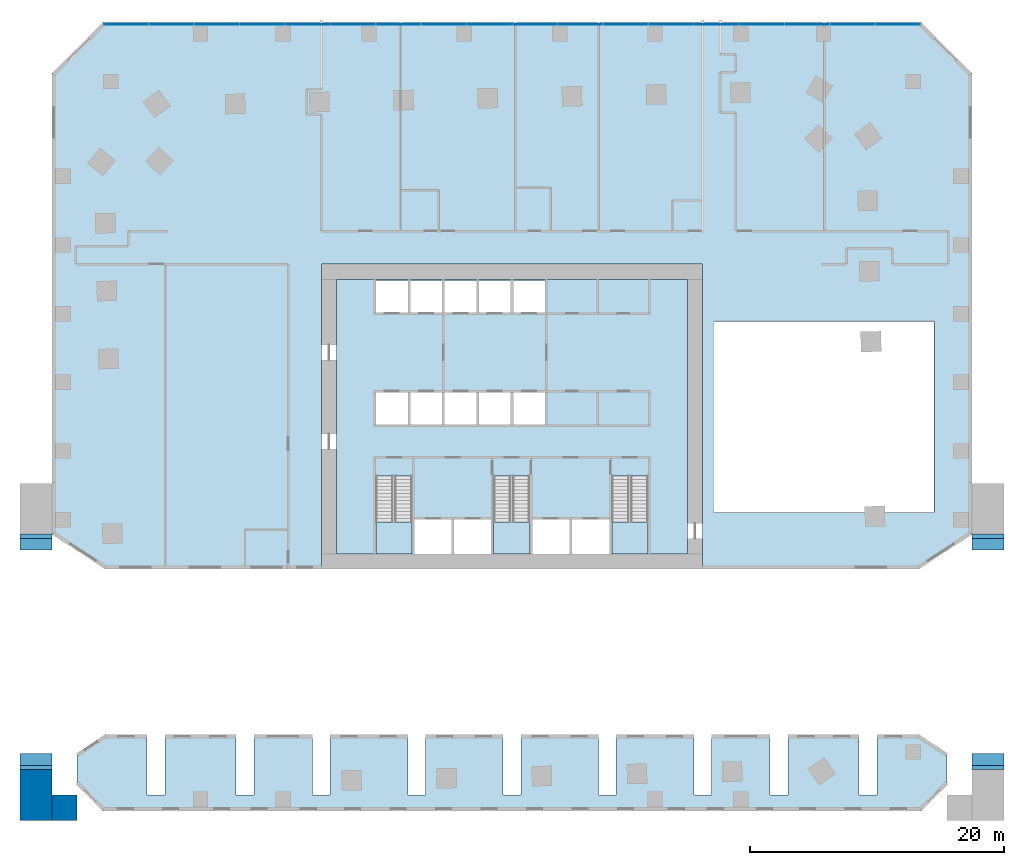
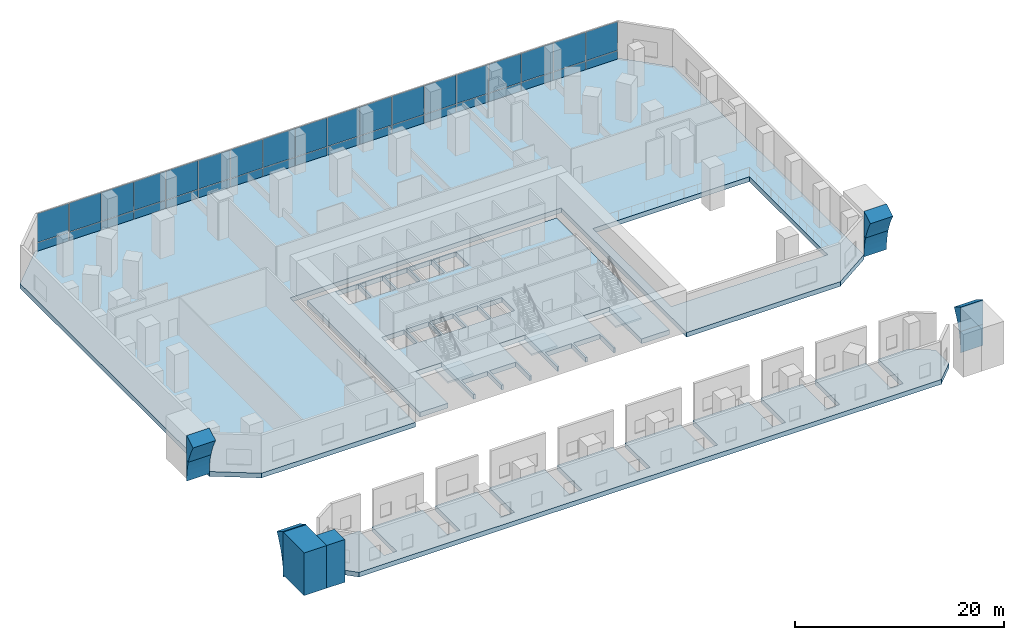
# One storey, part 4 of 12: 44 plates, 6 slabs, 2 walls, 4 elements without a shape of their own.
"""IFC4 building model written with IfcOpenShell, lengths in metres."""

import ifcopenshell
import ifcopenshell.guid

model = None  # the IFC model being written
_history = None  # IfcOwnerHistory: only IFC2X3 demands one
_inside = {}  # id of a spatial element -> (the spatial element, [elements in it])
_under = {}  # id of a project, library or spatial element -> (it, [spatial elements below it])
_declared = {}  # id of a project -> (the project, [libraries it declares])
_typed = {}  # id of a type object -> (the type object, [elements of that type])
_made_of = {}  # id of a material, layer set ... -> (it, [elements and type objects made of it])


def new_model(schema):
    """Start an empty IFC model of exactly this schema.

    Asked for "IFC4X3", IfcOpenShell would pick the latest addendum, in which some entities
    have other attributes; the version numbers below select the first issue.
    IFC2X3 requires an IfcOwnerHistory on every rooted entity: one is made here for all.
    """
    global model, _history
    if schema == "IFC4X3":
        model = ifcopenshell.file(schema_version=(4, 3, 0, 0))
    else:
        model = ifcopenshell.file(schema=schema)
    _inside.clear()
    _under.clear()
    _declared.clear()
    _typed.clear()
    _made_of.clear()
    _history = None
    if model.schema == "IFC2X3":
        org = make("IfcOrganization", Name="unknown")
        user = make(
            "IfcPersonAndOrganization",
            ThePerson=make("IfcPerson", FamilyName="unknown"),
            TheOrganization=org,
        )
        app = make(
            "IfcApplication",
            ApplicationDeveloper=org,
            Version="unknown",
            ApplicationFullName="unknown",
            ApplicationIdentifier="unknown",
        )
        _history = make(
            "IfcOwnerHistory",
            OwningUser=user,
            OwningApplication=app,
            ChangeAction="ADDED",
            CreationDate=0,
        )
    return model


def make(cls, **values):
    """One entity of the class cls with the attributes given. An attribute that is None is left unset."""
    return model.create_entity(
        cls, **{name: value for name, value in values.items() if value is not None}
    )


def rooted(cls, **values):
    """An entity with a GlobalId (a new one), such as an element, a storey or a relation."""
    return make(cls, GlobalId=ifcopenshell.guid.new(), OwnerHistory=_history, **values)


def si_unit(unit_type, name, prefix=None):
    """IfcSIUnit, for example si_unit("LENGTHUNIT", "METRE", prefix="MILLI")."""
    return make("IfcSIUnit", UnitType=unit_type, Prefix=prefix, Name=name)


def assignment(units):
    """IfcUnitAssignment: the units of a project."""
    return None if units is None else make("IfcUnitAssignment", Units=units)


def point(xyz):
    """IfcCartesianPoint."""
    return None if xyz is None else make("IfcCartesianPoint", Coordinates=xyz)


def direction(xyz):
    """IfcDirection."""
    return None if xyz is None else make("IfcDirection", DirectionRatios=xyz)


def frame(location, z_axis=None, x_axis=None):
    """IfcAxis2Placement3D, a coordinate frame: its origin and axes. An axis left out is left unset."""
    return make(
        "IfcAxis2Placement3D",
        Location=point(location),
        Axis=direction(z_axis),
        RefDirection=direction(x_axis),
    )


def frame_2d(location, x_axis=None):
    """IfcAxis2Placement2D, a coordinate frame in the plane: its origin and x axis."""
    return make(
        "IfcAxis2Placement2D", Location=point(location), RefDirection=direction(x_axis)
    )


def origin():
    """The frame at (0, 0, 0) with its axes left unset."""
    return frame((0.0, 0.0, 0.0))


def origin_2d():
    """The frame at (0, 0) in the plane with its x axis left unset."""
    return frame_2d((0.0, 0.0))


def place(relative_to, where):
    """IfcLocalPlacement: puts the frame where relative to a parent placement (None: the world)."""
    return make(
        "IfcLocalPlacement", PlacementRelTo=relative_to, RelativePlacement=where
    )


def context(
    kind, dimensions, precision=None, world=None, true_north=None, identifier=None
):
    """IfcGeometricRepresentationContext, for example the 3D "Model" context."""
    return make(
        "IfcGeometricRepresentationContext",
        ContextIdentifier=identifier,
        ContextType=kind,
        CoordinateSpaceDimension=dimensions,
        Precision=precision,
        WorldCoordinateSystem=world,
        TrueNorth=true_north,
    )


def subcontext(parent, identifier, kind, view, scale=None):
    """IfcGeometricRepresentationSubContext, for example "Body" below "Model"."""
    return make(
        "IfcGeometricRepresentationSubContext",
        ContextIdentifier=identifier,
        ContextType=kind,
        ParentContext=parent,
        TargetScale=scale,
        TargetView=view,
    )


def project(units=None, contexts=None):
    """IfcProject with its units and contexts."""
    return rooted(
        "IfcProject",
        Name="project",
        RepresentationContexts=contexts,
        UnitsInContext=assignment(units),
    )


def spatial(cls, under=None, at=None, **own):
    """A site, building, storey or space (cls), placed at a placement, below another one or the project."""
    s = rooted(cls, ObjectPlacement=at, **own)
    if under is not None:
        _under.setdefault(under.id(), (under, []))[1].append(s)
    return s


def polyline(points):
    """IfcPolyline through the points."""
    return make("IfcPolyline", Points=[point(p) for p in points])


def profile(cls, at=None, kind="AREA", **sizes):
    """A parametric profile (cls). Its sizes go by their IFC names, for example OverallWidth=200.0."""
    return make(cls, ProfileType=kind, Position=at, **sizes)


def rectangle(**sizes):
    """IfcRectangleProfileDef."""
    return profile("IfcRectangleProfileDef", **sizes)


def outline(outer, holes=None, kind="AREA"):
    """IfcArbitraryClosedProfileDef: a profile drawn as a closed curve; with holes, ...WithVoids."""
    if holes is None:
        return make("IfcArbitraryClosedProfileDef", ProfileType=kind, OuterCurve=outer)
    return make(
        "IfcArbitraryProfileDefWithVoids",
        ProfileType=kind,
        OuterCurve=outer,
        InnerCurves=holes,
    )


def extrude(swept, where, along, depth):
    """IfcExtrudedAreaSolid: the profile swept, set in the frame where, extruded along a direction by depth."""
    return make(
        "IfcExtrudedAreaSolid",
        SweptArea=swept,
        Position=where,
        ExtrudedDirection=direction(along),
        Depth=depth,
    )


def shape(context_of_items, identifier, shape_type, items):
    """IfcShapeRepresentation: the items that make up one representation, for example the "Body"."""
    return make(
        "IfcShapeRepresentation",
        ContextOfItems=context_of_items,
        RepresentationIdentifier=identifier,
        RepresentationType=shape_type,
        Items=items,
    )


def material(Name=None, Category=None):
    """IfcMaterial."""
    return make("IfcMaterial", Name=Name, Category=Category)


def layer(
    of_material, thickness, ventilated=None, Name=None, Category=None, Priority=None
):
    """IfcMaterialLayer: one layer of a wall or slab, of a material (None: an air gap)."""
    return make(
        "IfcMaterialLayer",
        Material=of_material,
        LayerThickness=thickness,
        IsVentilated=ventilated,
        Name=Name,
        Category=Category,
        Priority=Priority,
    )


def layer_set(layers, Name=None):
    """IfcMaterialLayerSet."""
    return make("IfcMaterialLayerSet", MaterialLayers=layers, LayerSetName=Name)


def made_of(thing, what):
    """Note that an element or type object is made of a material, layer set ...; save() writes the relation."""
    if what is not None:
        _made_of.setdefault(what.id(), (what, []))[1].append(thing)
    return thing


def type_object(cls, material=None, **own):
    """A type object (cls), such as IfcWallType, which elements share."""
    return made_of(rooted(cls, **own), material)


def element(
    cls,
    number,
    at=None,
    inside=None,
    cuts=None,
    type_object=None,
    material=None,
    context=None,
    identifier="Body",
    shape_type=None,
    held_by="IfcProductDefinitionShape",
    body=None,
    shapes=None,
    **own,
):
    """One element of the class cls, such as IfcWall. Its Tag is "e" and its number.

    at: its placement. inside: the storey or other place that contains it. cuts: it is an
    opening in that element (IfcRelVoidsElement). A single representation is given by context,
    identifier, shape_type and body (its items); several are given by shapes. held_by: the class
    of the entity that holds the representations. save() writes the other relations.
    """
    e = rooted(cls, Tag="e%d" % number, ObjectPlacement=at, **own)
    if body is not None:
        shapes = [shape(context, identifier, shape_type, body)]
    if shapes is not None:
        e.Representation = make(held_by, Representations=shapes)
    if inside is not None:
        _inside.setdefault(inside.id(), (inside, []))[1].append(e)
    if cuts is not None:
        rooted(
            "IfcRelVoidsElement", RelatingBuildingElement=cuts, RelatedOpeningElement=e
        )
    if type_object is not None:
        _typed.setdefault(type_object.id(), (type_object, []))[1].append(e)
    return made_of(e, material)


def aggregate(whole, parts):
    """IfcRelAggregates: a whole, such as a stair, and the parts it consists of."""
    return rooted("IfcRelAggregates", RelatingObject=whole, RelatedObjects=parts)


def save(model, path):
    """Write the relations noted so far, then the file.

    IfcRelAggregates (storeys below a building ...), IfcRelContainedInSpatialStructure (elements
    in a storey), IfcRelDefinesByType, IfcRelAssociatesMaterial and IfcRelDeclares: one each for
    every whole, place, type object, material and project.
    """
    for whole, parts in _under.values():
        aggregate(whole, parts)
    for where, things in _inside.values():
        rooted(
            "IfcRelContainedInSpatialStructure",
            RelatedElements=things,
            RelatingStructure=where,
        )
    for kind, things in _typed.values():
        rooted("IfcRelDefinesByType", RelatedObjects=things, RelatingType=kind)
    for what, things in _made_of.values():
        rooted("IfcRelAssociatesMaterial", RelatedObjects=things, RelatingMaterial=what)
    for by, libraries in _declared.values():
        rooted("IfcRelDeclares", RelatingContext=by, RelatedDefinitions=libraries)
    model.write(path)


model = new_model("IFC4")

# Units and contexts
model_context = context("Model", 3, precision=1e-05, world=origin(), true_north=direction((0.0, 1.0)))
body_context = subcontext(model_context, "Body", "Model", "MODEL_VIEW")
ifc_project = project(units=[si_unit("LENGTHUNIT", "METRE"), si_unit("AREAUNIT", "SQUARE_METRE"), si_unit("VOLUMEUNIT", "CUBIC_METRE"), si_unit("PLANEANGLEUNIT", "RADIAN"), si_unit("MASSUNIT", "GRAM", prefix="KILO")], contexts=[model_context])

# Site, building, storey
site_placement = place(None, origin())
site = spatial("IfcSite", under=ifc_project, at=site_placement, CompositionType="ELEMENT")
building_placement = place(site_placement, origin())
building = spatial("IfcBuilding", under=site, at=building_placement, Name="Mangrove Gate Tower", CompositionType="ELEMENT")
storey_placement = place(building_placement, frame((0.0, 0.0, 11.0)))
storey = spatial("IfcBuildingStorey", under=building, at=storey_placement, Name="L02", CompositionType="ELEMENT", Elevation=11.0)

# Slab
ifc_material_1 = material(Name="Concrete C40/50", Category="concrete")
ifc_layer_1 = layer(ifc_material_1, 0.550048828125)
ifc_layer_set_1 = layer_set([ifc_layer_1], Name="Core floor slab 550 C40/50")
slab_type_1 = type_object("IfcSlabType", Name="Core floor slab 550 C40/50", PredefinedType="FLOOR", material=ifc_layer_set_1)
slab_1_placement = place(storey_placement, frame((0.0, 0.0, -0.550048828125)))
element("IfcSlab", 1, at=slab_1_placement, inside=storey, type_object=slab_type_1, Name="SLAB-L02-CORE-1", PredefinedType="FLOOR", context=body_context, shape_type="SweptSolid", body=[
    extrude(outline(polyline([(-13.800048828125, -10.800048828125), (-13.800048828125, 10.800048828125), (13.800048828125, 10.800048828125), (13.800048828125, -10.800048828125), (10.699951171875, -10.800048828125), (10.699951171875, -4.653076171875), (7.85009765625, -4.653076171875), (7.85009765625, -10.800048828125), (7.64990234375, -10.800048828125), (7.64990234375, -8.10009765625), (4.72509765625, -8.10009765625), (4.72509765625, -10.800048828125), (4.52490234375, -10.800048828125), (4.52490234375, -8.10009765625), (1.60009765625, -8.10009765625), (1.60009765625, -10.800048828125), (1.39990234375, -10.800048828125), (1.39990234375, -4.653076171875), (-1.449951171875, -4.653076171875), (-1.449951171875, -10.800048828125), (-1.64990234375, -10.800048828125), (-1.64990234375, -8.10009765625), (-4.550048828125, -8.10009765625), (-4.550048828125, -10.800048828125), (-4.75, -10.800048828125), (-4.75, -8.10009765625), (-7.64990234375, -8.10009765625), (-7.64990234375, -10.800048828125), (-7.85009765625, -10.800048828125), (-7.85009765625, -4.653076171875), (-10.699951171875, -4.653076171875), (-10.699951171875, -10.800048828125), (-13.800048828125, -10.800048828125)]), holes=[polyline([(-8.199951171875, -0.60009765625), (-8.199951171875, 1.89990234375), (-10.699951171875, 1.89990234375), (-10.699951171875, -0.60009765625), (-8.199951171875, -0.60009765625)]), polyline([(-5.5, -0.60009765625), (-5.5, 1.89990234375), (-8.0, 1.89990234375), (-8.0, -0.60009765625), (-5.5, -0.60009765625)]), polyline([(-2.800048828125, -0.60009765625), (-2.800048828125, 1.89990234375), (-5.300048828125, 1.89990234375), (-5.300048828125, -0.60009765625), (-2.800048828125, -0.60009765625)]), polyline([(-8.199951171875, 8.199951171875), (-8.199951171875, 10.699951171875), (-10.699951171875, 10.699951171875), (-10.699951171875, 8.199951171875), (-8.199951171875, 8.199951171875)]), polyline([(-5.5, 8.199951171875), (-5.5, 10.699951171875), (-8.0, 10.699951171875), (-8.0, 8.199951171875), (-5.5, 8.199951171875)]), polyline([(-2.800048828125, 8.199951171875), (-2.800048828125, 10.699951171875), (-5.300048828125, 10.699951171875), (-5.300048828125, 8.199951171875), (-2.800048828125, 8.199951171875)]), polyline([(-0.10009765625, -0.60009765625), (-0.10009765625, 1.89990234375), (-2.60009765625, 1.89990234375), (-2.60009765625, -0.60009765625), (-0.10009765625, -0.60009765625)]), polyline([(2.60009765625, -0.60009765625), (2.60009765625, 1.89990234375), (0.10009765625, 1.89990234375), (0.10009765625, -0.60009765625), (2.60009765625, -0.60009765625)]), polyline([(-2.60009765625, 8.199951171875), (-0.10009765625, 8.199951171875), (-0.10009765625, 10.699951171875), (-2.60009765625, 10.699951171875), (-2.60009765625, 8.199951171875)]), polyline([(0.10009765625, 8.199951171875), (2.60009765625, 8.199951171875), (2.60009765625, 10.699951171875), (0.10009765625, 10.699951171875), (0.10009765625, 8.199951171875)])]), origin(), (0.0, 0.0, 1.0), 0.550048828125),
])

# Stair, slab
ifc_material_2 = material(Name="Concrete C40/50", Category="concrete")
stair_type = type_object("IfcStairType", Name="Core stair 1350", PredefinedType="HALF_TURN_STAIR", material=ifc_material_2)
stair_1_placement = place(storey_placement, origin())
stair_1 = element("IfcStair", 2, at=stair_1_placement, inside=storey, type_object=stair_type, Name="L02 Stair 1", PredefinedType="HALF_TURN_STAIR")
ifc_material_3 = material(Name="Concrete C40/50", Category="concrete")
ifc_layer_2 = layer(ifc_material_3, 0.199951171875)
ifc_layer_set_2 = layer_set([ifc_layer_2], Name="Core stair landing 200")
slab_type_2 = type_object("IfcSlabType", Name="Core stair landing 200", PredefinedType="LANDING", material=ifc_layer_set_2)
slab_2_placement = place(storey_placement, frame((0.0, 0.0, 2.300048828125)))
slab_2 = element("IfcSlab", 3, at=slab_2_placement, type_object=slab_type_2, Name="ST1 landing 1", PredefinedType="LANDING", context=body_context, shape_type="SweptSolid", body=[
    extrude(outline(polyline([(-10.699951171875, -8.2900390625), (-10.699951171875, -10.800048828125), (-7.85009765625, -10.800048828125), (-7.85009765625, -8.2900390625), (-10.699951171875, -8.2900390625)])), origin(), (0.0, 0.0, 1.0), 0.199951171875),
])
aggregate(stair_1, [slab_2])

stair_2_placement = place(storey_placement, origin())
stair_2 = element("IfcStair", 4, at=stair_2_placement, inside=storey, type_object=stair_type, Name="L02 Stair 2", PredefinedType="HALF_TURN_STAIR")
slab_3_placement = place(storey_placement, frame((0.0, 0.0, 2.300048828125)))
slab_3 = element("IfcSlab", 5, at=slab_3_placement, type_object=slab_type_2, Name="ST2 landing 1", PredefinedType="LANDING", context=body_context, shape_type="SweptSolid", body=[
    extrude(outline(polyline([(-1.449951171875, -8.2900390625), (-1.449951171875, -10.800048828125), (1.39990234375, -10.800048828125), (1.39990234375, -8.2900390625), (-1.449951171875, -8.2900390625)])), origin(), (0.0, 0.0, 1.0), 0.199951171875),
])
aggregate(stair_2, [slab_3])

stair_3_placement = place(storey_placement, origin())
stair_3 = element("IfcStair", 6, at=stair_3_placement, inside=storey, type_object=stair_type, Name="L02 Stair 3", PredefinedType="HALF_TURN_STAIR")
slab_4_placement = place(storey_placement, frame((0.0, 0.0, 2.300048828125)))
slab_4 = element("IfcSlab", 7, at=slab_4_placement, type_object=slab_type_2, Name="ST3 landing 1", PredefinedType="LANDING", context=body_context, shape_type="SweptSolid", body=[
    extrude(outline(polyline([(7.85009765625, -8.2900390625), (7.85009765625, -10.800048828125), (10.699951171875, -10.800048828125), (10.699951171875, -8.2900390625), (7.85009765625, -8.2900390625)])), origin(), (0.0, 0.0, 1.0), 0.199951171875),
])
aggregate(stair_3, [slab_4])

# Slabs
ifc_material_4 = material(Name="Concrete C40/50", Category="concrete")
ifc_layer_3 = layer(ifc_material_4, 0.550048828125)
ifc_layer_set_3 = layer_set([ifc_layer_3], Name="Floor slab 550 C40/50")
slab_type_3 = type_object("IfcSlabType", Name="Floor slab 550 C40/50", PredefinedType="FLOOR", material=ifc_layer_set_3)
slab_5_placement = place(storey_placement, frame((0.0, 0.0, -0.550048828125)))
element("IfcSlab", 8, at=slab_5_placement, inside=storey, type_object=slab_type_3, Name="Floor slab L02", PredefinedType="FLOOR", context=body_context, shape_type="SweptSolid", body=[
    extrude(outline(polyline([(-32.0, -25.0), (-34.199951171875, -26.4404296875), (-34.199951171875, -29.0), (-32.199951171875, -31.0), (32.199951171875, -31.0), (34.199951171875, -29.0), (34.199951171875, -26.4404296875), (32.0, -25.0), (28.699951171875, -25.0), (28.699951171875, -29.75), (27.300048828125, -29.75), (27.300048828125, -25.0), (21.699951171875, -25.0), (21.699951171875, -29.75), (20.300048828125, -29.75), (20.300048828125, -25.0), (15.699951171875, -25.0), (15.699951171875, -29.75), (14.300048828125, -29.75), (14.300048828125, -25.0), (8.199951171875, -25.0), (8.199951171875, -29.75), (6.800048828125, -29.75), (6.800048828125, -25.0), (0.699951171875, -25.0), (0.699951171875, -29.75), (-0.699951171875, -29.75), (-0.699951171875, -25.0), (-6.800048828125, -25.0), (-6.800048828125, -29.75), (-8.199951171875, -29.75), (-8.199951171875, -25.0), (-14.300048828125, -25.0), (-14.300048828125, -29.75), (-15.699951171875, -29.75), (-15.699951171875, -25.0), (-20.300048828125, -25.0), (-20.300048828125, -29.75), (-21.699951171875, -29.75), (-21.699951171875, -25.0), (-27.300048828125, -25.0), (-27.300048828125, -29.75), (-28.699951171875, -29.75), (-28.699951171875, -25.0), (-32.0, -25.0)])), origin(), (0.0, 0.0, 1.0), 0.550048828125),
])
slab_6_placement = place(storey_placement, frame((0.0, 0.0, -0.550048828125)))
element("IfcSlab", 9, at=slab_6_placement, inside=storey, type_object=slab_type_3, Name="Floor slab L02", PredefinedType="FLOOR", context=body_context, shape_type="SweptSolid", body=[
    extrude(outline(polyline([(36.199951171875, -9.25), (36.199951171875, 27.0), (32.199951171875, 31.0), (-32.199951171875, 31.0), (-36.199951171875, 27.0), (-36.199951171875, -9.25), (-32.0, -12.0), (-15.0, -12.0), (-15.0, 12.0), (15.0, 12.0), (15.0, -12.0), (32.0, -12.0), (36.199951171875, -9.25)]), holes=[polyline([(15.89990234375, 7.5), (33.199951171875, 7.5), (33.199951171875, -7.5), (15.89990234375, -7.5), (15.89990234375, 7.5)])]), origin(), (0.0, 0.0, 1.0), 0.550048828125),
])

# Plates
ifc_material_5 = material(Name="Limestone cladding", Category="masonry")
ifc_layer_4 = layer(ifc_material_5, 2.5)
ifc_layer_set_4 = layer_set([ifc_layer_4], Name="Limestone arch panel")
plate_type_1 = type_object("IfcPlateType", Name="Limestone arch panel", PredefinedType="SHEET", material=ifc_layer_set_4)
plate_1_placement = place(storey_placement, frame((38.699951171875, -9.25, -0.25), z_axis=(1.0, 0.0, 0.0), x_axis=(0.0, 0.0, 1.0)))
element("IfcPlate", 10, at=plate_1_placement, inside=storey, type_object=plate_type_1, Name="ARCH STONE E 1", PredefinedType="SHEET", context=body_context, shape_type="SweptSolid", body=[
    extrude(outline(polyline([(0.0, 0.0), (2.479003906, 0.0), (2.394042969, 0.314941406), (1.804931641, 0.177978516), (1.20703125, 0.079101562), (0.604980469, 0.020019531), (0.0, 0.0)])), origin(), (0.0, 0.0, -1.0), 2.5),
])
plate_2_placement = place(storey_placement, frame((38.699951171875, -9.56494140625, 2.14404296875), z_axis=(1.0, 0.0, 0.0), x_axis=(0.0, 0.965485564222, 0.260456570813)))
element("IfcPlate", 11, at=plate_2_placement, inside=storey, type_object=plate_type_1, Name="ARCH STONE E 2", PredefinedType="SHEET", context=body_context, shape_type="SweptSolid", body=[
    extrude(outline(polyline([(0.0, 0.0), (0.326200016, 0.0), (1.071388139, 2.762335285), (-0.311111015, 2.394637502), (-0.175099508, 1.804923208), (-0.0772463, 1.207802005), (-0.019182754, 0.604725454), (0.0, 0.0)])), origin(), (0.0, 0.0, -1.0), 2.5),
])
plate_3_placement = place(storey_placement, frame((38.699951171875, -26.510986328125, 4.375), z_axis=(1.0, 0.0, 0.0), x_axis=(0.0, -0.866103179807, 0.499865263774)))
element("IfcPlate", 12, at=plate_3_placement, inside=storey, type_object=plate_type_1, Name="ARCH STONE E 11", PredefinedType="SHEET", context=body_context, shape_type="SweptSolid", body=[
    extrude(outline(polyline([(0.0, 0.0), (1.430561278, 0.0), (0.000404778, 2.477993937), (-0.314835997, 2.394150606), (-0.17794143, 1.804811374), (-0.079045206, 1.207072101), (-0.020132549, 0.604860942), (0.0, 0.0)])), origin(), (0.0, 0.0, -1.0), 2.5),
])
plate_4_placement = place(storey_placement, frame((38.699951171875, -27.43505859375, 2.14404296875), z_axis=(1.0, 0.0, 0.0), x_axis=(0.0, -0.965485564222, 0.260456570813)))
element("IfcPlate", 13, at=plate_4_placement, inside=storey, type_object=plate_type_1, Name="ARCH STONE E 12", PredefinedType="SHEET", context=body_context, shape_type="SweptSolid", body=[
    extrude(outline(polyline([(0.0, 0.0), (0.326200016, 0.0), (-0.319472841, 2.393442485), (-0.181230271, 1.804128357), (-0.081465037, 1.207468716), (-0.021202223, 0.604451368), (0.0, 0.0)])), origin(), (0.0, 0.0, -1.0), 2.5),
])
plate_5_placement = place(storey_placement, frame((-38.699951171875, -9.27001953125, 0.35498046875), z_axis=(-1.0, 0.0, 0.0), x_axis=(0.0, -0.09766547871, 0.995219299586)))
element("IfcPlate", 14, at=plate_5_placement, inside=storey, type_object=plate_type_1, Name="ARCH STONE W 1", PredefinedType="SHEET", context=body_context, shape_type="SweptSolid", body=[
    extrude(outline(polyline([(0.0, 0.0), (0.604942832, 0.0), (1.209641705, -0.040010024), (1.809313214, -0.118782296), (1.863109076, 0.20295122), (-0.604043455, -0.039161883), (0.0, 0.0)])), origin(), (0.0, 0.0, -1.0), 2.5),
])
plate_6_placement = place(storey_placement, frame((-38.699951171875, -9.740966796875, 2.722900390625), z_axis=(-1.0, 0.0, 0.0), x_axis=(0.0, -0.351785756881, 0.936080542077)))
element("IfcPlate", 15, at=plate_6_placement, inside=storey, type_object=plate_type_1, Name="ARCH STONE W 2", PredefinedType="SHEET", context=body_context, shape_type="SweptSolid", body=[
    extrude(outline(polyline([(0.0, 0.0), (0.60586525, 0.0), (1.209615836, -0.040177251), (1.809650534, -0.119047013), (2.043163032, 1.292327312), (-0.635042015, 0.285838717), (-0.603780395, -0.038859853), (0.0, 0.0)])), origin(), (0.0, 0.0, -1.0), 2.5),
])
plate_7_placement = place(storey_placement, frame((-38.699951171875, -26.7958984375, 3.841064453125), z_axis=(-1.0, 0.0, 0.0), x_axis=(0.0, -0.413164458371, -0.910656428264)))
element("IfcPlate", 16, at=plate_7_placement, inside=storey, type_object=plate_type_1, Name="ARCH STONE W 11", PredefinedType="SHEET", context=body_context, shape_type="SweptSolid", body=[
    extrude(outline(polyline([(0.0, 0.0), (0.605085929, 0.0), (1.209614116, -0.040228998), (1.809481783, -0.119093657), (1.862234155, 0.202812598), (-0.743230367, 1.384910813), (-0.603947395, -0.038853853), (0.0, 0.0)])), origin(), (0.0, 0.0, -1.0), 2.5),
])
plate_8_placement = place(storey_placement, frame((-38.699951171875, -27.572021484375, 1.554931640625), z_axis=(-1.0, 0.0, 0.0), x_axis=(0.0, -0.163157618009, -0.986600016058)))
element("IfcPlate", 17, at=plate_8_placement, inside=storey, type_object=plate_type_1, Name="ARCH STONE W 12", PredefinedType="SHEET", context=body_context, shape_type="SweptSolid", body=[
    extrude(outline(polyline([(0.0, 0.0), (0.606021063, 0.0), (1.209644057, -0.039938838), (1.809784136, -0.118894741), (-0.636001157, 0.285573632), (-0.603563785, -0.039009589), (0.0, 0.0)])), origin(), (0.0, 0.0, -1.0), 2.5),
])

# Curtain wall, plates
ifc_material_6 = material(Name="Aluminium and glass curtain wall", Category="aluminium")
curtain_wall_type = type_object("IfcCurtainWallType", Name="Podium amenity glazing wall", PredefinedType="NOTDEFINED", material=ifc_material_6)
curtain_wall_placement = place(storey_placement, origin())
curtain_wall = element("IfcCurtainWall", 18, at=curtain_wall_placement, inside=storey, type_object=curtain_wall_type, Name="Podium amenity glazing N12", PredefinedType="NOTDEFINED")
ifc_material_7 = material(Name="Laminated low-e glass", Category="glass")
ifc_layer_5 = layer(ifc_material_7, 0.028076171875)
ifc_layer_set_5 = layer_set([ifc_layer_5], Name="Podium amenity glazing panel 28")
plate_type_2 = type_object("IfcPlateType", Name="Podium amenity glazing panel 28", PredefinedType="CURTAIN_PANEL", material=ifc_layer_set_5)
plate_9_placement = place(storey_placement, frame((30.33740234375, 30.85009765625, 0.0), z_axis=(0.0, 0.0, 1.0), x_axis=(-1.0, 0.0, 0.0)))
plate_9 = element("IfcPlate", 19, at=plate_9_placement, type_object=plate_type_2, Name="CWP panel 1.1", PredefinedType="CURTAIN_PANEL", context=body_context, shape_type="SweptSolid", body=[
    extrude(rectangle(XDim=3.48095703125, YDim=0.028076171875, at=origin_2d()), origin(), (0.0, 0.0, 1.0), 0.969970703125),
])
plate_10_placement = place(storey_placement, frame((30.33740234375, 30.85009765625, 1.02978515625), z_axis=(0.0, 0.0, 1.0), x_axis=(-1.0, 0.0, 0.0)))
plate_10 = element("IfcPlate", 20, at=plate_10_placement, type_object=plate_type_2, Name="CWP panel 1.2", PredefinedType="CURTAIN_PANEL", context=body_context, shape_type="SweptSolid", body=[
    extrude(rectangle(XDim=3.48095703125, YDim=0.028076171875, at=origin_2d()), origin(), (0.0, 0.0, 1.0), 3.360107421875),
])
plate_11_placement = place(storey_placement, frame((26.781494140625, 30.85009765625, 0.0), z_axis=(0.0, 0.0, 1.0), x_axis=(-1.0, 0.0, 0.0)))
plate_11 = element("IfcPlate", 21, at=plate_11_placement, type_object=plate_type_2, Name="CWP panel 2.1", PredefinedType="CURTAIN_PANEL", context=body_context, shape_type="SweptSolid", body=[
    extrude(rectangle(XDim=3.510986328125, YDim=0.028076171875, at=origin_2d()), origin(), (0.0, 0.0, 1.0), 0.969970703125),
])
plate_12_placement = place(storey_placement, frame((26.781494140625, 30.85009765625, 1.02978515625), z_axis=(0.0, 0.0, 1.0), x_axis=(-1.0, 0.0, 0.0)))
plate_12 = element("IfcPlate", 22, at=plate_12_placement, type_object=plate_type_2, Name="CWP panel 2.2", PredefinedType="CURTAIN_PANEL", context=body_context, shape_type="SweptSolid", body=[
    extrude(rectangle(XDim=3.510986328125, YDim=0.028076171875, at=origin_2d()), origin(), (0.0, 0.0, 1.0), 3.360107421875),
])
plate_13_placement = place(storey_placement, frame((23.210693359375, 30.85009765625, 0.0), z_axis=(0.0, 0.0, 1.0), x_axis=(-1.0, 0.0, 0.0)))
plate_13 = element("IfcPlate", 23, at=plate_13_placement, type_object=plate_type_2, Name="CWP panel 3.1", PredefinedType="CURTAIN_PANEL", context=body_context, shape_type="SweptSolid", body=[
    extrude(rectangle(XDim=3.510986328125, YDim=0.028076171875, at=origin_2d()), origin(), (0.0, 0.0, 1.0), 0.969970703125),
])
plate_14_placement = place(storey_placement, frame((23.210693359375, 30.85009765625, 1.02978515625), z_axis=(0.0, 0.0, 1.0), x_axis=(-1.0, 0.0, 0.0)))
plate_14 = element("IfcPlate", 24, at=plate_14_placement, type_object=plate_type_2, Name="CWP panel 3.2", PredefinedType="CURTAIN_PANEL", context=body_context, shape_type="SweptSolid", body=[
    extrude(rectangle(XDim=3.510986328125, YDim=0.028076171875, at=origin_2d()), origin(), (0.0, 0.0, 1.0), 3.360107421875),
])
plate_15_placement = place(storey_placement, frame((19.639892578125, 30.85009765625, 0.0), z_axis=(0.0, 0.0, 1.0), x_axis=(-1.0, 0.0, 0.0)))
plate_15 = element("IfcPlate", 25, at=plate_15_placement, type_object=plate_type_2, Name="CWP panel 4.1", PredefinedType="CURTAIN_PANEL", context=body_context, shape_type="SweptSolid", body=[
    extrude(rectangle(XDim=3.510986328125, YDim=0.028076171875, at=origin_2d()), origin(), (0.0, 0.0, 1.0), 0.969970703125),
])
plate_16_placement = place(storey_placement, frame((19.639892578125, 30.85009765625, 1.02978515625), z_axis=(0.0, 0.0, 1.0), x_axis=(-1.0, 0.0, 0.0)))
plate_16 = element("IfcPlate", 26, at=plate_16_placement, type_object=plate_type_2, Name="CWP panel 4.2", PredefinedType="CURTAIN_PANEL", context=body_context, shape_type="SweptSolid", body=[
    extrude(rectangle(XDim=3.510986328125, YDim=0.028076171875, at=origin_2d()), origin(), (0.0, 0.0, 1.0), 3.360107421875),
])
plate_17_placement = place(storey_placement, frame((16.06884765625, 30.85009765625, 0.0), z_axis=(0.0, 0.0, 1.0), x_axis=(-1.0, 0.0, 0.0)))
plate_17 = element("IfcPlate", 27, at=plate_17_placement, type_object=plate_type_2, Name="CWP panel 5.1", PredefinedType="CURTAIN_PANEL", context=body_context, shape_type="SweptSolid", body=[
    extrude(rectangle(XDim=3.510986328125, YDim=0.028076171875, at=origin_2d()), origin(), (0.0, 0.0, 1.0), 0.969970703125),
])
plate_18_placement = place(storey_placement, frame((16.06884765625, 30.85009765625, 1.02978515625), z_axis=(0.0, 0.0, 1.0), x_axis=(-1.0, 0.0, 0.0)))
plate_18 = element("IfcPlate", 28, at=plate_18_placement, type_object=plate_type_2, Name="CWP panel 5.2", PredefinedType="CURTAIN_PANEL", context=body_context, shape_type="SweptSolid", body=[
    extrude(rectangle(XDim=3.510986328125, YDim=0.028076171875, at=origin_2d()), origin(), (0.0, 0.0, 1.0), 3.360107421875),
])
plate_19_placement = place(storey_placement, frame((12.498046875, 30.85009765625, 0.0), z_axis=(0.0, 0.0, 1.0), x_axis=(-1.0, 0.0, 0.0)))
plate_19 = element("IfcPlate", 29, at=plate_19_placement, type_object=plate_type_2, Name="CWP panel 6.1", PredefinedType="CURTAIN_PANEL", context=body_context, shape_type="SweptSolid", body=[
    extrude(rectangle(XDim=3.510986328125, YDim=0.028076171875, at=origin_2d()), origin(), (0.0, 0.0, 1.0), 0.969970703125),
])
plate_20_placement = place(storey_placement, frame((12.498046875, 30.85009765625, 1.02978515625), z_axis=(0.0, 0.0, 1.0), x_axis=(-1.0, 0.0, 0.0)))
plate_20 = element("IfcPlate", 30, at=plate_20_placement, type_object=plate_type_2, Name="CWP panel 6.2", PredefinedType="CURTAIN_PANEL", context=body_context, shape_type="SweptSolid", body=[
    extrude(rectangle(XDim=3.510986328125, YDim=0.028076171875, at=origin_2d()), origin(), (0.0, 0.0, 1.0), 3.360107421875),
])
plate_21_placement = place(storey_placement, frame((8.92724609375, 30.85009765625, 0.0), z_axis=(0.0, 0.0, 1.0), x_axis=(-1.0, 0.0, 0.0)))
plate_21 = element("IfcPlate", 31, at=plate_21_placement, type_object=plate_type_2, Name="CWP panel 7.1", PredefinedType="CURTAIN_PANEL", context=body_context, shape_type="SweptSolid", body=[
    extrude(rectangle(XDim=3.510986328125, YDim=0.028076171875, at=origin_2d()), origin(), (0.0, 0.0, 1.0), 0.969970703125),
])
plate_22_placement = place(storey_placement, frame((8.92724609375, 30.85009765625, 1.02978515625), z_axis=(0.0, 0.0, 1.0), x_axis=(-1.0, 0.0, 0.0)))
plate_22 = element("IfcPlate", 32, at=plate_22_placement, type_object=plate_type_2, Name="CWP panel 7.2", PredefinedType="CURTAIN_PANEL", context=body_context, shape_type="SweptSolid", body=[
    extrude(rectangle(XDim=3.510986328125, YDim=0.028076171875, at=origin_2d()), origin(), (0.0, 0.0, 1.0), 3.360107421875),
])
plate_23_placement = place(storey_placement, frame((5.356201171875, 30.85009765625, 0.0), z_axis=(0.0, 0.0, 1.0), x_axis=(-1.0, 0.0, 0.0)))
plate_23 = element("IfcPlate", 33, at=plate_23_placement, type_object=plate_type_2, Name="CWP panel 8.1", PredefinedType="CURTAIN_PANEL", context=body_context, shape_type="SweptSolid", body=[
    extrude(rectangle(XDim=3.510986328125, YDim=0.028076171875, at=origin_2d()), origin(), (0.0, 0.0, 1.0), 0.969970703125),
])
plate_24_placement = place(storey_placement, frame((5.356201171875, 30.85009765625, 1.02978515625), z_axis=(0.0, 0.0, 1.0), x_axis=(-1.0, 0.0, 0.0)))
plate_24 = element("IfcPlate", 34, at=plate_24_placement, type_object=plate_type_2, Name="CWP panel 8.2", PredefinedType="CURTAIN_PANEL", context=body_context, shape_type="SweptSolid", body=[
    extrude(rectangle(XDim=3.510986328125, YDim=0.028076171875, at=origin_2d()), origin(), (0.0, 0.0, 1.0), 3.360107421875),
])
plate_25_placement = place(storey_placement, frame((1.785400390625, 30.85009765625, 0.0), z_axis=(0.0, 0.0, 1.0), x_axis=(-1.0, 0.0, 0.0)))
plate_25 = element("IfcPlate", 35, at=plate_25_placement, type_object=plate_type_2, Name="CWP panel 9.1", PredefinedType="CURTAIN_PANEL", context=body_context, shape_type="SweptSolid", body=[
    extrude(rectangle(XDim=3.510986328125, YDim=0.028076171875, at=origin_2d()), origin(), (0.0, 0.0, 1.0), 0.969970703125),
])
plate_26_placement = place(storey_placement, frame((1.785400390625, 30.85009765625, 1.02978515625), z_axis=(0.0, 0.0, 1.0), x_axis=(-1.0, 0.0, 0.0)))
plate_26 = element("IfcPlate", 36, at=plate_26_placement, type_object=plate_type_2, Name="CWP panel 9.2", PredefinedType="CURTAIN_PANEL", context=body_context, shape_type="SweptSolid", body=[
    extrude(rectangle(XDim=3.510986328125, YDim=0.028076171875, at=origin_2d()), origin(), (0.0, 0.0, 1.0), 3.360107421875),
])
plate_27_placement = place(storey_placement, frame((-1.785400390625, 30.85009765625, 0.0), z_axis=(0.0, 0.0, 1.0), x_axis=(-1.0, 0.0, 0.0)))
plate_27 = element("IfcPlate", 37, at=plate_27_placement, type_object=plate_type_2, Name="CWP panel 10.1", PredefinedType="CURTAIN_PANEL", context=body_context, shape_type="SweptSolid", body=[
    extrude(rectangle(XDim=3.510986328125, YDim=0.028076171875, at=origin_2d()), origin(), (0.0, 0.0, 1.0), 0.969970703125),
])
plate_28_placement = place(storey_placement, frame((-1.785400390625, 30.85009765625, 1.02978515625), z_axis=(0.0, 0.0, 1.0), x_axis=(-1.0, 0.0, 0.0)))
plate_28 = element("IfcPlate", 38, at=plate_28_placement, type_object=plate_type_2, Name="CWP panel 10.2", PredefinedType="CURTAIN_PANEL", context=body_context, shape_type="SweptSolid", body=[
    extrude(rectangle(XDim=3.510986328125, YDim=0.028076171875, at=origin_2d()), origin(), (0.0, 0.0, 1.0), 3.360107421875),
])
plate_29_placement = place(storey_placement, frame((-5.356201171875, 30.85009765625, 0.0), z_axis=(0.0, 0.0, 1.0), x_axis=(-1.0, 0.0, 0.0)))
plate_29 = element("IfcPlate", 39, at=plate_29_placement, type_object=plate_type_2, Name="CWP panel 11.1", PredefinedType="CURTAIN_PANEL", context=body_context, shape_type="SweptSolid", body=[
    extrude(rectangle(XDim=3.510986328125, YDim=0.028076171875, at=origin_2d()), origin(), (0.0, 0.0, 1.0), 0.969970703125),
])
plate_30_placement = place(storey_placement, frame((-5.356201171875, 30.85009765625, 1.02978515625), z_axis=(0.0, 0.0, 1.0), x_axis=(-1.0, 0.0, 0.0)))
plate_30 = element("IfcPlate", 40, at=plate_30_placement, type_object=plate_type_2, Name="CWP panel 11.2", PredefinedType="CURTAIN_PANEL", context=body_context, shape_type="SweptSolid", body=[
    extrude(rectangle(XDim=3.510986328125, YDim=0.028076171875, at=origin_2d()), origin(), (0.0, 0.0, 1.0), 3.360107421875),
])
plate_31_placement = place(storey_placement, frame((-8.92724609375, 30.85009765625, 0.0), z_axis=(0.0, 0.0, 1.0), x_axis=(-1.0, 0.0, 0.0)))
plate_31 = element("IfcPlate", 41, at=plate_31_placement, type_object=plate_type_2, Name="CWP panel 12.1", PredefinedType="CURTAIN_PANEL", context=body_context, shape_type="SweptSolid", body=[
    extrude(rectangle(XDim=3.510986328125, YDim=0.028076171875, at=origin_2d()), origin(), (0.0, 0.0, 1.0), 0.969970703125),
])
plate_32_placement = place(storey_placement, frame((-8.92724609375, 30.85009765625, 1.02978515625), z_axis=(0.0, 0.0, 1.0), x_axis=(-1.0, 0.0, 0.0)))
plate_32 = element("IfcPlate", 42, at=plate_32_placement, type_object=plate_type_2, Name="CWP panel 12.2", PredefinedType="CURTAIN_PANEL", context=body_context, shape_type="SweptSolid", body=[
    extrude(rectangle(XDim=3.510986328125, YDim=0.028076171875, at=origin_2d()), origin(), (0.0, 0.0, 1.0), 3.360107421875),
])
plate_33_placement = place(storey_placement, frame((-12.498046875, 30.85009765625, 0.0), z_axis=(0.0, 0.0, 1.0), x_axis=(-1.0, 0.0, 0.0)))
plate_33 = element("IfcPlate", 43, at=plate_33_placement, type_object=plate_type_2, Name="CWP panel 13.1", PredefinedType="CURTAIN_PANEL", context=body_context, shape_type="SweptSolid", body=[
    extrude(rectangle(XDim=3.510986328125, YDim=0.028076171875, at=origin_2d()), origin(), (0.0, 0.0, 1.0), 0.969970703125),
])
plate_34_placement = place(storey_placement, frame((-12.498046875, 30.85009765625, 1.02978515625), z_axis=(0.0, 0.0, 1.0), x_axis=(-1.0, 0.0, 0.0)))
plate_34 = element("IfcPlate", 44, at=plate_34_placement, type_object=plate_type_2, Name="CWP panel 13.2", PredefinedType="CURTAIN_PANEL", context=body_context, shape_type="SweptSolid", body=[
    extrude(rectangle(XDim=3.510986328125, YDim=0.028076171875, at=origin_2d()), origin(), (0.0, 0.0, 1.0), 3.360107421875),
])
plate_35_placement = place(storey_placement, frame((-16.06884765625, 30.85009765625, 0.0), z_axis=(0.0, 0.0, 1.0), x_axis=(-1.0, 0.0, 0.0)))
plate_35 = element("IfcPlate", 45, at=plate_35_placement, type_object=plate_type_2, Name="CWP panel 14.1", PredefinedType="CURTAIN_PANEL", context=body_context, shape_type="SweptSolid", body=[
    extrude(rectangle(XDim=3.510986328125, YDim=0.028076171875, at=origin_2d()), origin(), (0.0, 0.0, 1.0), 0.969970703125),
])
plate_36_placement = place(storey_placement, frame((-16.06884765625, 30.85009765625, 1.02978515625), z_axis=(0.0, 0.0, 1.0), x_axis=(-1.0, 0.0, 0.0)))
plate_36 = element("IfcPlate", 46, at=plate_36_placement, type_object=plate_type_2, Name="CWP panel 14.2", PredefinedType="CURTAIN_PANEL", context=body_context, shape_type="SweptSolid", body=[
    extrude(rectangle(XDim=3.510986328125, YDim=0.028076171875, at=origin_2d()), origin(), (0.0, 0.0, 1.0), 3.360107421875),
])
plate_37_placement = place(storey_placement, frame((-19.639892578125, 30.85009765625, 0.0), z_axis=(0.0, 0.0, 1.0), x_axis=(-1.0, 0.0, 0.0)))
plate_37 = element("IfcPlate", 47, at=plate_37_placement, type_object=plate_type_2, Name="CWP panel 15.1", PredefinedType="CURTAIN_PANEL", context=body_context, shape_type="SweptSolid", body=[
    extrude(rectangle(XDim=3.510986328125, YDim=0.028076171875, at=origin_2d()), origin(), (0.0, 0.0, 1.0), 0.969970703125),
])
plate_38_placement = place(storey_placement, frame((-19.639892578125, 30.85009765625, 1.02978515625), z_axis=(0.0, 0.0, 1.0), x_axis=(-1.0, 0.0, 0.0)))
plate_38 = element("IfcPlate", 48, at=plate_38_placement, type_object=plate_type_2, Name="CWP panel 15.2", PredefinedType="CURTAIN_PANEL", context=body_context, shape_type="SweptSolid", body=[
    extrude(rectangle(XDim=3.510986328125, YDim=0.028076171875, at=origin_2d()), origin(), (0.0, 0.0, 1.0), 3.360107421875),
])
plate_39_placement = place(storey_placement, frame((-23.210693359375, 30.85009765625, 0.0), z_axis=(0.0, 0.0, 1.0), x_axis=(-1.0, 0.0, 0.0)))
plate_39 = element("IfcPlate", 49, at=plate_39_placement, type_object=plate_type_2, Name="CWP panel 16.1", PredefinedType="CURTAIN_PANEL", context=body_context, shape_type="SweptSolid", body=[
    extrude(rectangle(XDim=3.510986328125, YDim=0.028076171875, at=origin_2d()), origin(), (0.0, 0.0, 1.0), 0.969970703125),
])
plate_40_placement = place(storey_placement, frame((-23.210693359375, 30.85009765625, 1.02978515625), z_axis=(0.0, 0.0, 1.0), x_axis=(-1.0, 0.0, 0.0)))
plate_40 = element("IfcPlate", 50, at=plate_40_placement, type_object=plate_type_2, Name="CWP panel 16.2", PredefinedType="CURTAIN_PANEL", context=body_context, shape_type="SweptSolid", body=[
    extrude(rectangle(XDim=3.510986328125, YDim=0.028076171875, at=origin_2d()), origin(), (0.0, 0.0, 1.0), 3.360107421875),
])
plate_41_placement = place(storey_placement, frame((-26.781494140625, 30.85009765625, 0.0), z_axis=(0.0, 0.0, 1.0), x_axis=(-1.0, 0.0, 0.0)))
plate_41 = element("IfcPlate", 51, at=plate_41_placement, type_object=plate_type_2, Name="CWP panel 17.1", PredefinedType="CURTAIN_PANEL", context=body_context, shape_type="SweptSolid", body=[
    extrude(rectangle(XDim=3.510986328125, YDim=0.028076171875, at=origin_2d()), origin(), (0.0, 0.0, 1.0), 0.969970703125),
])
plate_42_placement = place(storey_placement, frame((-26.781494140625, 30.85009765625, 1.02978515625), z_axis=(0.0, 0.0, 1.0), x_axis=(-1.0, 0.0, 0.0)))
plate_42 = element("IfcPlate", 52, at=plate_42_placement, type_object=plate_type_2, Name="CWP panel 17.2", PredefinedType="CURTAIN_PANEL", context=body_context, shape_type="SweptSolid", body=[
    extrude(rectangle(XDim=3.510986328125, YDim=0.028076171875, at=origin_2d()), origin(), (0.0, 0.0, 1.0), 3.360107421875),
])
plate_43_placement = place(storey_placement, frame((-30.33740234375, 30.85009765625, 0.0), z_axis=(0.0, 0.0, 1.0), x_axis=(-1.0, 0.0, 0.0)))
plate_43 = element("IfcPlate", 53, at=plate_43_placement, type_object=plate_type_2, Name="CWP panel 18.1", PredefinedType="CURTAIN_PANEL", context=body_context, shape_type="SweptSolid", body=[
    extrude(rectangle(XDim=3.48095703125, YDim=0.028076171875, at=origin_2d()), origin(), (0.0, 0.0, 1.0), 0.969970703125),
])
plate_44_placement = place(storey_placement, frame((-30.33740234375, 30.85009765625, 1.02978515625), z_axis=(0.0, 0.0, 1.0), x_axis=(-1.0, 0.0, 0.0)))
plate_44 = element("IfcPlate", 54, at=plate_44_placement, type_object=plate_type_2, Name="CWP panel 18.2", PredefinedType="CURTAIN_PANEL", context=body_context, shape_type="SweptSolid", body=[
    extrude(rectangle(XDim=3.48095703125, YDim=0.028076171875, at=origin_2d()), origin(), (0.0, 0.0, 1.0), 3.360107421875),
])
aggregate(curtain_wall, [plate_9, plate_10, plate_11, plate_12, plate_13, plate_14, plate_15, plate_16, plate_17, plate_18, plate_19, plate_20, plate_21, plate_22, plate_23, plate_24, plate_25, plate_26, plate_27, plate_28, plate_29, plate_30, plate_31, plate_32, plate_33, plate_34, plate_35, plate_36, plate_37, plate_38, plate_39, plate_40, plate_41, plate_42, plate_43, plate_44])

# Walls
ifc_material_8 = material(Name="Limestone", Category="masonry")
ifc_layer_6 = layer(ifc_material_8, 0.06005859375, Name="Limestone cladding")
ifc_material_9 = material(Name="Concrete C40/50", Category="concrete")
ifc_layer_7 = layer(ifc_material_9, 2.340087890625, Name="Gate core wall")
ifc_layer_8 = layer(ifc_material_8, 0.10009765625, Name="Limestone reveal lining")
ifc_layer_set_6 = layer_set([ifc_layer_6, ifc_layer_7, ifc_layer_8], Name="Stone gate wall 2500")
wall_type = type_object("IfcWallType", Name="Stone gate wall 2500", PredefinedType="STANDARD", material=ifc_layer_set_6)
wall_1_placement = place(storey_placement, frame((-37.449951171875, -31.75, 0.0), z_axis=(0.0, 0.0, 1.0), x_axis=(0.0, 1.0, 0.0)))
element("IfcWall", 55, at=wall_1_placement, inside=storey, type_object=wall_type, Name="ARCH PIER W 1", PredefinedType="STANDARD", context=body_context, shape_type="SweptSolid", body=[
    extrude(rectangle(XDim=4.0, YDim=2.5, at=frame_2d((2.0, 0.0))), origin(), (0.0, 0.0, 1.0), 5.0),
])
wall_2_placement = place(storey_placement, frame((-34.199951171875, -30.75, 0.0), z_axis=(0.0, 0.0, 1.0), x_axis=(-1.0, 0.0, 0.0)))
element("IfcWall", 56, at=wall_2_placement, inside=storey, type_object=wall_type, Name="ARCH RETURN W", PredefinedType="STANDARD", context=body_context, shape_type="SweptSolid", body=[
    extrude(rectangle(XDim=2.0, YDim=2.0, at=frame_2d((1.0, 0.0))), origin(), (0.0, 0.0, 1.0), 5.0),
])

save(model, "model.ifc")
